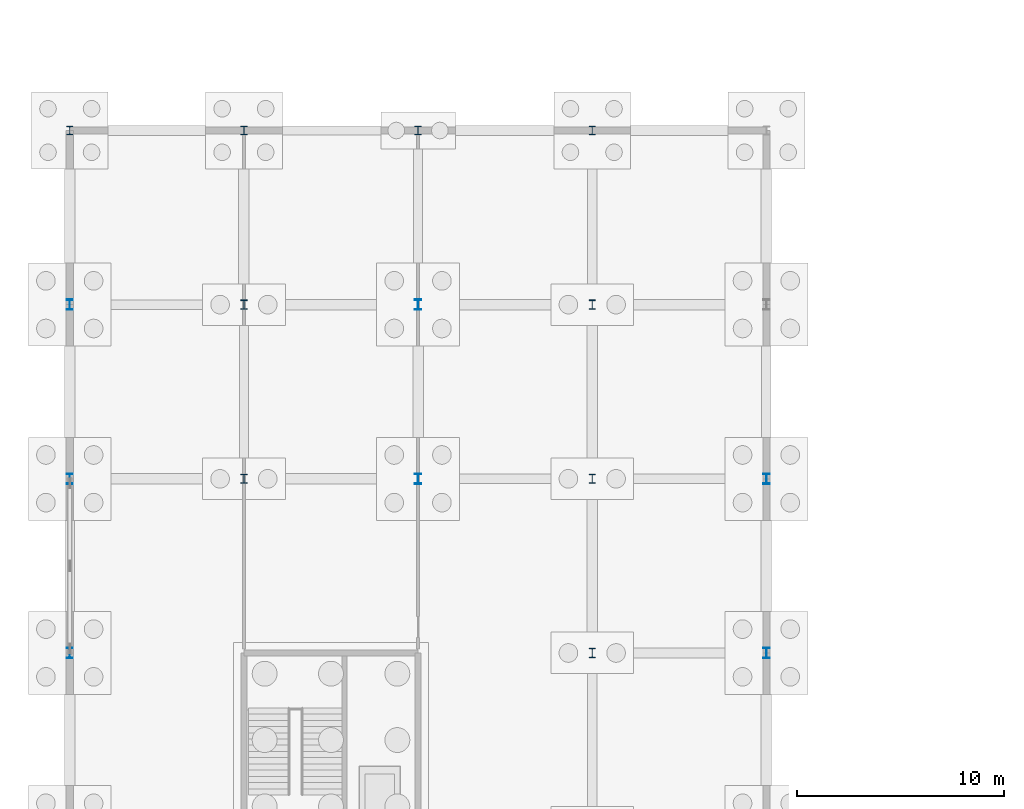
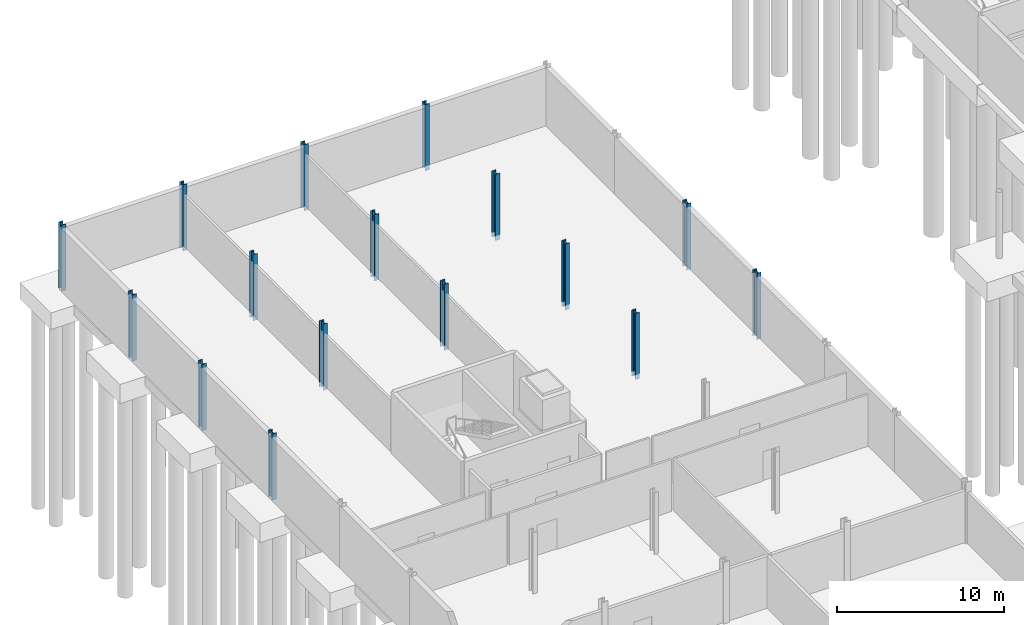
# One storey, part 20 of 51: 16 columns.
"""IFC4 building model written with IfcOpenShell, lengths in metres."""

from ifc_helpers import new_model, si_unit, direction, frame, origin, origin_2d, place, context, subcontext, project, spatial, i_section, extrude, material, material_profile, profile_set, type_object, element, save


model = new_model("IFC4")

# Units and contexts
model_context = context("Model", 3, precision=1e-05, world=origin(), true_north=direction((0.0, 1.0)))
body_context = subcontext(model_context, "Body", "Model", "MODEL_VIEW")
ifc_project = project(units=[si_unit("LENGTHUNIT", "METRE"), si_unit("AREAUNIT", "SQUARE_METRE"), si_unit("VOLUMEUNIT", "CUBIC_METRE"), si_unit("PLANEANGLEUNIT", "RADIAN"), si_unit("MASSUNIT", "GRAM", prefix="KILO")], contexts=[model_context])

# Site, building, storey
site_placement = place(None, origin())
site = spatial("IfcSite", under=ifc_project, at=site_placement, CompositionType="ELEMENT")
building_placement = place(site_placement, origin())
building = spatial("IfcBuilding", under=site, at=building_placement, Name="Qalvenar Corner Mobility Hub", CompositionType="ELEMENT")
storey_placement = place(building_placement, frame((0.0, 0.0, -4.5)))
storey = spatial("IfcBuildingStorey", under=building, at=storey_placement, Name="B1", CompositionType="ELEMENT", Elevation=-4.5)

# Columns
ifc_material = material(Name="Steel S355", Category="steel")
ifc_material_profile_1 = material_profile(ifc_material, i_section(OverallWidth=0.300048828125, OverallDepth=0.39990234375, WebThickness=0.013427734375, FlangeThickness=0.02392578125, FilletRadius=0.027099609375, at=origin_2d()), Name="HEB400")
ifc_profile_set_1 = profile_set([ifc_material_profile_1], Name="Steel S355")
column_type_1 = type_object("IfcColumnType", Name="COL-HEB400", PredefinedType="COLUMN", material=ifc_profile_set_1)
for number, where, z_axis, x_axis, name in (
    (1, (0.0, 92.39990234375, -0.35009765625), (0.0, 0.0, 1.0), (1.0, 0.0, 0.0), "Steel Column B1-G1-11"),
    (2, (8.39990234375, 92.39990234375, -0.35009765625), (0.0, 0.0, 1.0), (1.0, 0.0, 0.0), "Steel Column B1-G2-11"),
    (3, (16.800048828125, 92.39990234375, -0.35009765625), (0.0, 0.0, 1.0), (1.0, 0.0, 0.0), "Steel Column B1-G3-11"),
    (4, (25.199951171875, 92.39990234375, -0.35009765625), (0.0, 0.0, 1.0), (1.0, 0.0, 0.0), "Steel Column B1-G4-11"),
):
    element("IfcColumn", number, at=place(storey_placement, frame(where, z_axis=z_axis, x_axis=x_axis)), inside=storey, type_object=column_type_1, Name=name, PredefinedType="COLUMN", context=body_context, shape_type="SweptSolid", body=[
        extrude(i_section(OverallWidth=0.300048828125, OverallDepth=0.39990234375, WebThickness=0.013427734375, FlangeThickness=0.02392578125, FilletRadius=0.027099609375, at=origin_2d()), origin(), (0.0, 0.0, 1.0), 4.85009765625),
    ])
ifc_material_profile_2 = material_profile(ifc_material, i_section(OverallWidth=0.300048828125, OverallDepth=0.449951171875, WebThickness=0.013916015625, FlangeThickness=0.02587890625, FilletRadius=0.027099609375, at=origin_2d()), Name="HEB450")
ifc_profile_set_2 = profile_set([ifc_material_profile_2], Name="Steel S355")
column_type_2 = type_object("IfcColumnType", Name="COL-HEB450", PredefinedType="COLUMN", material=ifc_profile_set_2)
for number, where, z_axis, x_axis, name in (
    (5, (8.39990234375, 75.60009765625, -0.35009765625), (0.0, 0.0, 1.0), (1.0, 0.0, 0.0), "Steel Column B1-G2-9"),
    (6, (8.39990234375, 84.0, -0.35009765625), (0.0, 0.0, 1.0), (1.0, 0.0, 0.0), "Steel Column B1-G2-10"),
    (7, (25.199951171875, 67.199951171875, -0.35009765625), (0.0, 0.0, 1.0), (1.0, 0.0, 0.0), "Steel Column B1-G4-8"),
    (8, (25.199951171875, 75.60009765625, -0.35009765625), (0.0, 0.0, 1.0), (1.0, 0.0, 0.0), "Steel Column B1-G4-9"),
    (9, (25.199951171875, 84.0, -0.35009765625), (0.0, 0.0, 1.0), (1.0, 0.0, 0.0), "Steel Column B1-G4-10"),
):
    element("IfcColumn", number, at=place(storey_placement, frame(where, z_axis=z_axis, x_axis=x_axis)), inside=storey, type_object=column_type_2, Name=name, PredefinedType="COLUMN", context=body_context, shape_type="SweptSolid", body=[
        extrude(i_section(OverallWidth=0.300048828125, OverallDepth=0.449951171875, WebThickness=0.013916015625, FlangeThickness=0.02587890625, FilletRadius=0.027099609375, at=origin_2d()), origin(), (0.0, 0.0, 1.0), 4.85009765625),
    ])
ifc_material_profile_3 = material_profile(ifc_material, i_section(OverallWidth=0.300048828125, OverallDepth=0.5, WebThickness=0.014404296875, FlangeThickness=0.028076171875, FilletRadius=0.027099609375, at=origin_2d()), Name="HEB500")
ifc_profile_set_3 = profile_set([ifc_material_profile_3], Name="Steel S355")
column_type_3 = type_object("IfcColumnType", Name="COL-HEB500", PredefinedType="COLUMN", material=ifc_profile_set_3)
for number, where, z_axis, x_axis, name in (
    (10, (0.0, 67.199951171875, -0.35009765625), (0.0, 0.0, 1.0), (1.0, 0.0, 0.0), "Steel Column B1-G1-8"),
    (11, (0.0, 75.60009765625, -0.35009765625), (0.0, 0.0, 1.0), (1.0, 0.0, 0.0), "Steel Column B1-G1-9"),
    (12, (0.0, 84.0, -0.35009765625), (0.0, 0.0, 1.0), (1.0, 0.0, 0.0), "Steel Column B1-G1-10"),
    (13, (16.800048828125, 75.60009765625, -0.35009765625), (0.0, 0.0, 1.0), (1.0, 0.0, 0.0), "Steel Column B1-G3-9"),
    (14, (16.800048828125, 84.0, -0.35009765625), (0.0, 0.0, 1.0), (1.0, 0.0, 0.0), "Steel Column B1-G3-10"),
    (15, (33.60009765625, 67.199951171875, -0.35009765625), (0.0, 0.0, 1.0), (1.0, 0.0, 0.0), "Steel Column B1-G5-8"),
    (16, (33.60009765625, 75.60009765625, -0.35009765625), (0.0, 0.0, 1.0), (1.0, 0.0, 0.0), "Steel Column B1-G5-9"),
):
    element("IfcColumn", number, at=place(storey_placement, frame(where, z_axis=z_axis, x_axis=x_axis)), inside=storey, type_object=column_type_3, Name=name, PredefinedType="COLUMN", context=body_context, shape_type="SweptSolid", body=[
        extrude(i_section(OverallWidth=0.300048828125, OverallDepth=0.5, WebThickness=0.014404296875, FlangeThickness=0.028076171875, FilletRadius=0.027099609375, at=origin_2d()), origin(), (0.0, 0.0, 1.0), 4.85009765625),
    ])

save(model, "model.ifc")
